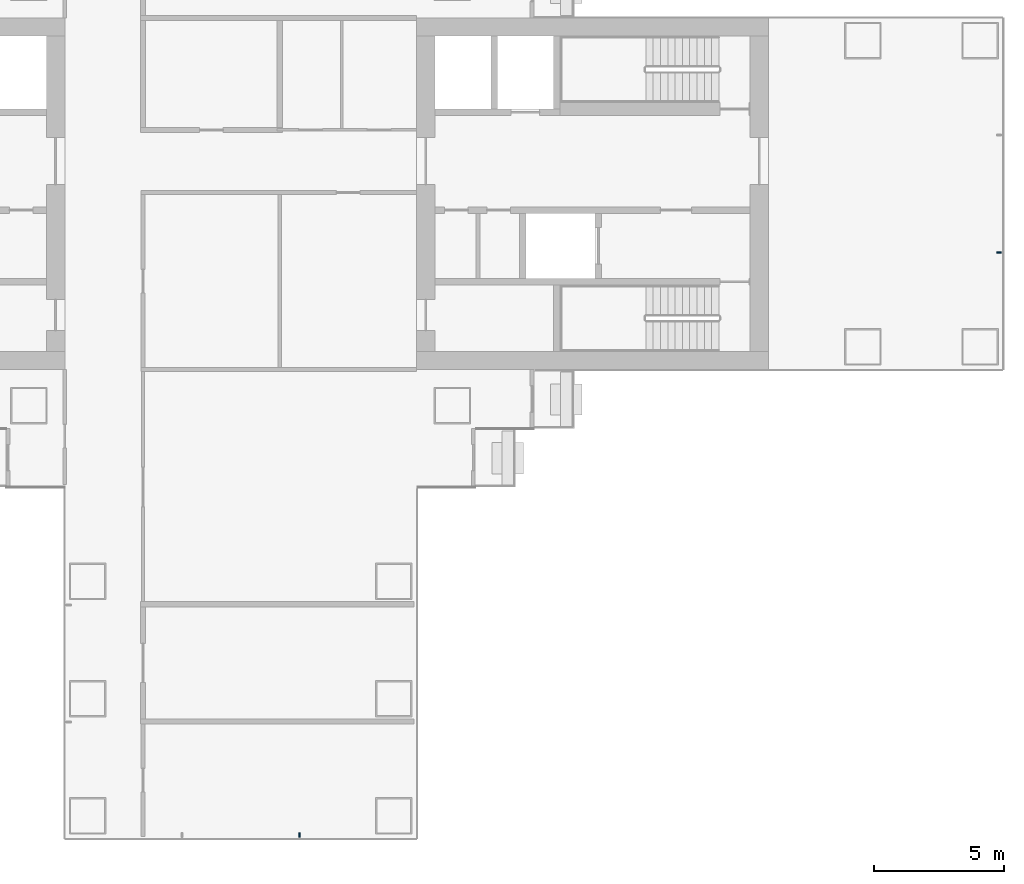
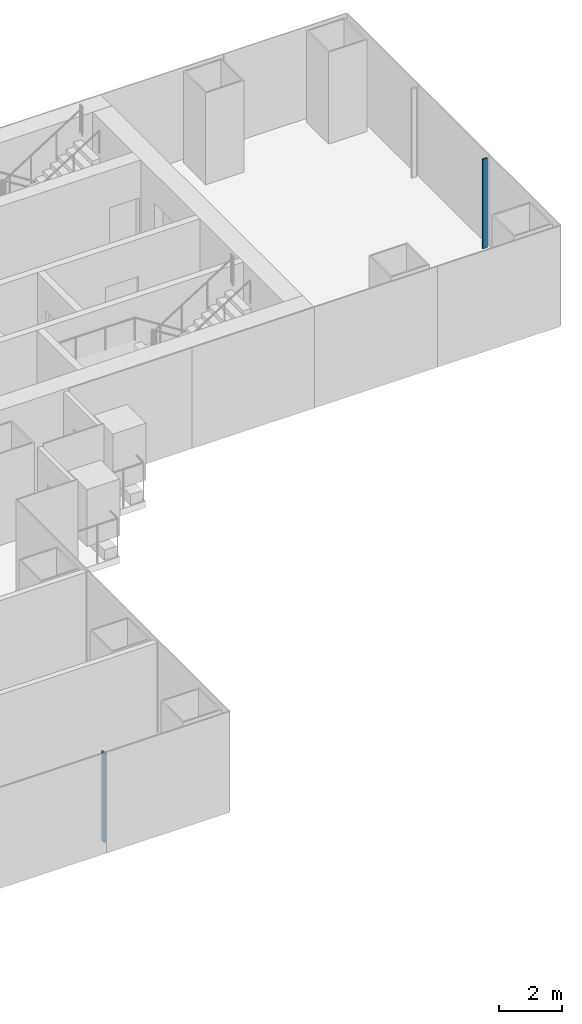
# One storey, part 8 of 22: 2 members, 2 elements without a shape of their own.
"""IFC4 building model written with IfcOpenShell, lengths in metres."""

from ifc_helpers import new_model, si_unit, direction, frame, origin, origin_2d, place, context, subcontext, project, spatial, rectangle, extrude, material, layer, layer_set, material_profile, profile_set, type_object, element, aggregate, save


model = new_model("IFC4")

# Units and contexts
model_context = context("Model", 3, precision=1e-05, world=origin(), true_north=direction((0.0, 1.0)))
body_context = subcontext(model_context, "Body", "Model", "MODEL_VIEW")
ifc_project = project(units=[si_unit("LENGTHUNIT", "METRE"), si_unit("AREAUNIT", "SQUARE_METRE"), si_unit("VOLUMEUNIT", "CUBIC_METRE"), si_unit("PLANEANGLEUNIT", "RADIAN"), si_unit("MASSUNIT", "GRAM", prefix="KILO")], contexts=[model_context])

# Site, building, storey
site_placement = place(None, origin())
site = spatial("IfcSite", under=ifc_project, at=site_placement, CompositionType="ELEMENT")
building_placement = place(site_placement, origin())
building = spatial("IfcBuilding", under=site, at=building_placement, Name="Shamsa Quay Exchange Towers", CompositionType="ELEMENT")
storey_placement = place(building_placement, frame((0.0, 0.0, 69.300048828125)))
storey = spatial("IfcBuildingStorey", under=building, at=storey_placement, Name="L15", CompositionType="ELEMENT", Elevation=69.300048828125)

# Curtain wall, member
ifc_material = material(Name="Aluminium EN AW-6063 T6, black anodised", Category="aluminium")
ifc_layer = layer(ifc_material, 0.280029296875)
ifc_layer_set = layer_set([ifc_layer], Name="CW-1 UNITISED VISION GLASS")
curtain_wall_type = type_object("IfcCurtainWallType", Name="CW-1 UNITISED VISION GLASS", PredefinedType="NOTDEFINED", material=ifc_layer_set)
curtain_wall_1_placement = place(storey_placement, origin())
curtain_wall_1 = element("IfcCurtainWall", 1, at=curtain_wall_1_placement, inside=storey, type_object=curtain_wall_type, Name="CW1 T2-END-V- L15", PredefinedType="NOTDEFINED")
ifc_material_profile = material_profile(ifc_material, rectangle(XDim=0.179931640625, YDim=0.06005859375, at=origin_2d()), Name="MU60x180")
ifc_profile_set = profile_set([ifc_material_profile], Name="Aluminium EN AW-6063 T6, black anodised")
member_type = type_object("IfcMemberType", Name="CW1 MULLION 60x180", PredefinedType="MULLION", material=ifc_profile_set)
member_1_placement = place(storey_placement, frame((62.85009765625, -2.25, 0.0), z_axis=(0.0, 0.0, 1.0), x_axis=(-1.0, 0.0, 0.0)))
member_1 = element("IfcMember", 2, at=member_1_placement, type_object=member_type, Name="CW1 mullion", PredefinedType="MULLION", context=body_context, shape_type="SweptSolid", body=[
    extrude(rectangle(XDim=0.179931640625, YDim=0.06005859375, at=origin_2d()), origin(), (0.0, 0.0, 1.0), 3.449951171875),
])
aggregate(curtain_wall_1, [member_1])

curtain_wall_2_placement = place(storey_placement, origin())
curtain_wall_2 = element("IfcCurtainWall", 3, at=curtain_wall_2_placement, inside=storey, type_object=curtain_wall_type, Name="CW1 T2-END-U- L15", PredefinedType="NOTDEFINED")
member_2_placement = place(storey_placement, frame((36.0, -24.60009765625, 0.0), z_axis=(0.0, 0.0, 1.0), x_axis=(0.0, 1.0, 0.0)))
member_2 = element("IfcMember", 4, at=member_2_placement, type_object=member_type, Name="CW1 mullion", PredefinedType="MULLION", context=body_context, shape_type="SweptSolid", body=[
    extrude(rectangle(XDim=0.179931640625, YDim=0.06005859375, at=origin_2d()), origin(), (0.0, 0.0, 1.0), 3.449951171875),
])
aggregate(curtain_wall_2, [member_2])

save(model, "model.ifc")
